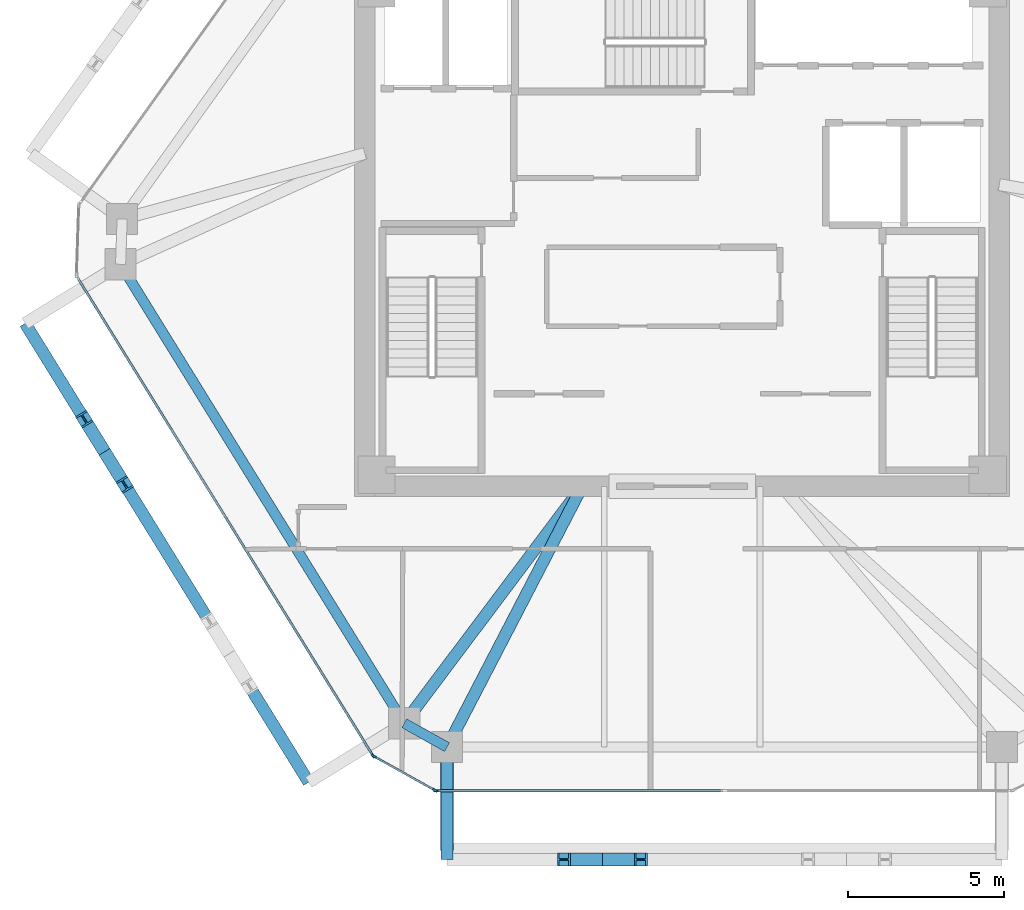
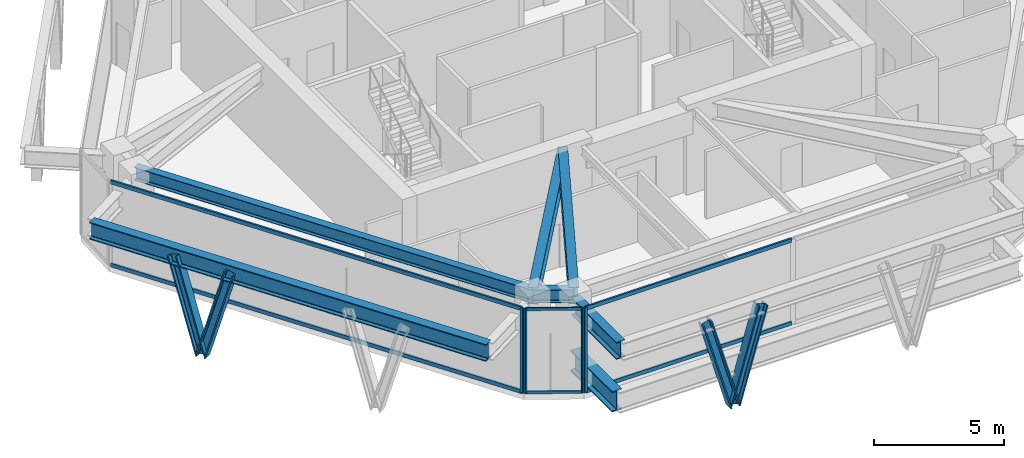
# One storey, part 2 of 11: 14 members, 7 beams, 3 elements without a shape of their own.
"""IFC4 building model written with IfcOpenShell, lengths in metres."""

from ifc_helpers import new_model, si_unit, direction, frame, origin, origin_2d, place, context, subcontext, project, spatial, rectangle, i_section, extrude, source, transform, mapped, material, layer, layer_set, material_profile, profile_set, type_object, type_shapes, element, aggregate, save


model = new_model("IFC4")

# Units and contexts
model_context = context("Model", 3, precision=1e-05, world=origin(), true_north=direction((0.0, 1.0)))
body_context = subcontext(model_context, "Body", "Model", "MODEL_VIEW")
ifc_project = project(units=[si_unit("LENGTHUNIT", "METRE"), si_unit("AREAUNIT", "SQUARE_METRE"), si_unit("VOLUMEUNIT", "CUBIC_METRE"), si_unit("PLANEANGLEUNIT", "RADIAN"), si_unit("MASSUNIT", "GRAM", prefix="KILO")], contexts=[model_context])

# Site, building, storey
site_placement = place(None, origin())
site = spatial("IfcSite", under=ifc_project, at=site_placement, CompositionType="ELEMENT")
building_placement = place(site_placement, origin())
building = spatial("IfcBuilding", under=site, at=building_placement, Name="Durnholm Broadcast Tower", CompositionType="ELEMENT")
storey_placement = place(building_placement, frame((0.0, 0.0, 155.10009765625)))
storey = spatial("IfcBuildingStorey", under=building, at=storey_placement, Name="L42", CompositionType="ELEMENT", Elevation=155.10009765625)

# Beams
ifc_material_1 = material(Name="Steel ASTM A992 Grade 50", Category="steel")
ifc_material_profile_1 = material_profile(ifc_material_1, i_section(OverallWidth=0.385009765625, OverallDepth=0.802978515625, WebThickness=0.023681640625, FlangeThickness=0.0419921875, FilletRadius=0.032958984375, at=origin_2d()), Name="W30X261")
ifc_profile_set_1 = profile_set([ifc_material_profile_1], Name="Steel ASTM A992 Grade 50")
beam_type_1 = type_object("IfcBeamType", Name="BM-EXO-TIE", PredefinedType="USERDEFINED", material=ifc_profile_set_1)
shared_shape_1 = source(origin(), body_context, "Body", "SweptSolid", [
    extrude(i_section(OverallWidth=0.385009765625, OverallDepth=0.802978515625, WebThickness=0.023681640625, FlangeThickness=0.0419921875, FilletRadius=0.032958984375, at=origin_2d()), origin(), (0.0, 0.0, 1.0), 3.4560546875),
])
beam_1_placement = place(storey_placement, frame((-7.53955078125, -16.68603515625, 3.20849609375), z_axis=(0.0, -1.0, 0.0), x_axis=(1.0, 0.0, 0.0)))
element("IfcBeam", 1, at=beam_1_placement, inside=storey, type_object=beam_type_1, Name="L42 exoskeleton stand-off tie bracket F1.1", ObjectType="GIRDER", PredefinedType="USERDEFINED", context=body_context, shape_type="MappedRepresentation", body=[
    mapped(shared_shape_1, transform((0.0, 0.0, 0.0), x_axis=(1.0, 0.0, 0.0), y_axis=(0.0, 1.0, 0.0), z_axis=(0.0, 0.0, 1.0), scale=1.0)),
])
ifc_material_profile_2 = material_profile(ifc_material_1, i_section(OverallWidth=0.3251953125, OverallDepth=0.6162109375, WebThickness=0.013916015625, FlangeThickness=0.021484375, FilletRadius=0.02783203125, at=origin_2d()), Name="W24X117")
ifc_profile_set_2 = profile_set([ifc_material_profile_2], Name="Steel ASTM A992 Grade 50")
beam_type_2 = type_object("IfcBeamType", Name="STL-SP-W24X117", PredefinedType="SPANDREL", material=ifc_profile_set_2)
shared_shape_2 = source(origin(), body_context, "Body", "SweptSolid", [
    extrude(i_section(OverallWidth=0.3251953125, OverallDepth=0.6162109375, WebThickness=0.013916015625, FlangeThickness=0.021484375, FilletRadius=0.02783203125, at=origin_2d()), origin(), (0.0, 0.0, 1.0), 17.3037109375),
])
beam_2_placement = place(storey_placement, frame((-8.91259765625, -15.7763671875, 3.63671875), z_axis=(-0.525695324718, 0.850672925142, 0.0), x_axis=(-0.850672925142, -0.525695324718, 0.0)))
element("IfcBeam", 2, at=beam_2_placement, inside=storey, type_object=beam_type_2, Name="L42 perimeter spandrel girder 01", PredefinedType="SPANDREL", context=body_context, shape_type="MappedRepresentation", body=[
    mapped(shared_shape_2, transform((0.0, 0.0, 0.0), x_axis=(1.0, 0.0, 0.0), y_axis=(0.0, 1.0, 0.0), z_axis=(0.0, 0.0, 1.0), scale=1.0)),
])
shared_shape_3 = source(origin(), body_context, "Body", "SweptSolid", [
    extrude(i_section(OverallWidth=0.3251953125, OverallDepth=0.6162109375, WebThickness=0.013916015625, FlangeThickness=0.021484375, FilletRadius=0.02783203125, at=origin_2d()), origin(), (0.0, 0.0, 1.0), 1.572021484375),
])
type_shapes(beam_type_2, [shared_shape_2, shared_shape_3])
beam_3_placement = place(storey_placement, frame((-7.53955078125, -16.5419921875, 3.63671875), z_axis=(-0.873394362663, 0.487013641769, 0.0), x_axis=(-0.487013641769, -0.873394362663, 0.0)))
element("IfcBeam", 3, at=beam_3_placement, inside=storey, type_object=beam_type_2, Name="L42 perimeter spandrel girder 12", PredefinedType="SPANDREL", context=body_context, shape_type="MappedRepresentation", body=[
    mapped(shared_shape_3, transform((0.0, 0.0, 0.0), x_axis=(1.0, 0.0, 0.0), y_axis=(0.0, 1.0, 0.0), z_axis=(0.0, 0.0, 1.0), scale=1.0)),
])
shared_shape_4 = source(origin(), body_context, "Body", "SweptSolid", [
    extrude(i_section(OverallWidth=0.385009765625, OverallDepth=0.802978515625, WebThickness=0.023681640625, FlangeThickness=0.0419921875, FilletRadius=0.032958984375, at=origin_2d()), origin(), (0.0, 0.0, 1.0), 17.303466796875),
])
type_shapes(beam_type_1, [shared_shape_1, shared_shape_4])
beam_4_placement = place(storey_placement, frame((-21.071533203125, -2.94921875, 3.20849609375), z_axis=(0.525701634347, -0.850669025911, 0.0), x_axis=(0.850669025911, 0.525701634347, 0.0)))
element("IfcBeam", 4, at=beam_4_placement, inside=storey, type_object=beam_type_1, Name="L42 exoskeleton collector spandrel F6", PredefinedType="SPANDREL", context=body_context, shape_type="MappedRepresentation", body=[
    mapped(shared_shape_4, transform((0.0, 0.0, 0.0), x_axis=(1.0, 0.0, 0.0), y_axis=(0.0, 1.0, 0.0), z_axis=(0.0, 0.0, 1.0), scale=1.0)),
])
ifc_material_profile_3 = material_profile(ifc_material_1, i_section(OverallWidth=0.380615234375, OverallDepth=0.773193359375, WebThickness=0.0166015625, FlangeThickness=0.027099609375, FilletRadius=0.032958984375, at=origin_2d()), Name="W30X173")
ifc_profile_set_3 = profile_set([ifc_material_profile_3], Name="Steel ASTM A992 Grade 50")
beam_type_3 = type_object("IfcBeamType", Name="STL-GR-W30X173", PredefinedType="USERDEFINED", material=ifc_profile_set_3)
shared_shape_5 = source(origin(), body_context, "Body", "SweptSolid", [
    extrude(i_section(OverallWidth=0.380615234375, OverallDepth=0.773193359375, WebThickness=0.0166015625, FlangeThickness=0.027099609375, FilletRadius=0.032958984375, at=origin_2d()), origin(), (0.0, 0.0, 1.0), 9.508544921875),
])
beam_5_placement = place(storey_placement, frame((-3.199951171875, -8.175048828125, 3.558349609375), z_axis=(-0.600784359039, -0.799411129479, 0.0), x_axis=(0.799411129479, -0.600784359039, 0.0)))
element("IfcBeam", 5, at=beam_5_placement, inside=storey, type_object=beam_type_3, Name="L42 radial primary floor girder 01", ObjectType="GIRDER", PredefinedType="USERDEFINED", context=body_context, shape_type="MappedRepresentation", body=[
    mapped(shared_shape_5, transform((0.0, 0.0, 0.0), x_axis=(1.0, 0.0, 0.0), y_axis=(0.0, 1.0, 0.0), z_axis=(0.0, 0.0, 1.0), scale=1.0)),
])
shared_shape_6 = source(origin(), body_context, "Body", "SweptSolid", [
    extrude(i_section(OverallWidth=0.380615234375, OverallDepth=0.773193359375, WebThickness=0.0166015625, FlangeThickness=0.027099609375, FilletRadius=0.032958984375, at=origin_2d()), origin(), (0.0, 0.0, 1.0), 9.42529296875),
])
type_shapes(beam_type_3, [shared_shape_5, shared_shape_6])
beam_6_placement = place(storey_placement, frame((-3.199951171875, -8.175048828125, 3.558349609375), z_axis=(-0.460416206992, -0.887703169048, 0.0), x_axis=(0.887703169048, -0.460416206992, 0.0)))
element("IfcBeam", 6, at=beam_6_placement, inside=storey, type_object=beam_type_3, Name="L42 radial primary floor girder 12", ObjectType="GIRDER", PredefinedType="USERDEFINED", context=body_context, shape_type="MappedRepresentation", body=[
    mapped(shared_shape_6, transform((0.0, 0.0, 0.0), x_axis=(1.0, 0.0, 0.0), y_axis=(0.0, 1.0, 0.0), z_axis=(0.0, 0.0, 1.0), scale=1.0)),
])

# Members
ifc_material_2 = material(Name="Steel ASTM A913 Grade 65", Category="steel")
ifc_material_profile_4 = material_profile(ifc_material_2, i_section(OverallWidth=0.412109375, OverallDepth=0.434814453125, WebThickness=0.035888671875, FlangeThickness=0.057373046875, FilletRadius=0.030517578125, at=origin_2d()), Name="W14X311")
ifc_profile_set_4 = profile_set([ifc_material_profile_4], Name="Steel ASTM A913 Grade 65")
member_type_1 = type_object("IfcMemberType", Name="STL-DG-W14X311", PredefinedType="BRACE", material=ifc_profile_set_4)
shared_shape_7 = source(origin(), body_context, "Body", "SweptSolid", [
    extrude(i_section(OverallWidth=0.412109375, OverallDepth=0.434814453125, WebThickness=0.035888671875, FlangeThickness=0.057373046875, FilletRadius=0.030517578125, at=origin_2d()), origin(), (0.0, 0.0, 1.0), 4.454345703125),
])
type_shapes(member_type_1, [shared_shape_7])
for number, where, z_axis, x_axis, name in (
    (7, (-2.556640625, -20.14208984375, -1.071533203125), (-0.276957271889, 0.0, 0.960882235005), (0.0, -1.0, 0.0), "L42 stand-off diagrid brace F1.D1.1"),
    (8, (-2.556640625, -20.14208984375, -1.071533203125), (0.277007876945, 0.0, 0.960867647551), (0.0, 1.0, 0.0), "L42 stand-off diagrid brace F1.D1.2"),
    (9, (-18.5244140625, -7.07080078125, -1.071533203125), (-0.145629598725, 0.235627265683, 0.960870340703), (-0.850644447398, -0.525741404219, 0.0), "L42 stand-off diagrid brace F6.D1.1"),
    (10, (-18.5244140625, -7.07080078125, -1.071533203125), (0.145575950703, -0.235629146111, 0.960878008948), (0.850732935913, 0.525598203719, 0.0), "L42 stand-off diagrid brace F6.D1.2"),
):
    element("IfcMember", number, at=place(storey_placement, frame(where, z_axis=z_axis, x_axis=x_axis)), inside=storey, type_object=member_type_1, Name=name, PredefinedType="BRACE", context=body_context, shape_type="MappedRepresentation", body=[
        mapped(shared_shape_7, transform((0.0, 0.0, 0.0), x_axis=(1.0, 0.0, 0.0), y_axis=(0.0, 1.0, 0.0), z_axis=(0.0, 0.0, 1.0), scale=1.0)),
    ])

# Beam
ifc_material_profile_5 = material_profile(ifc_material_1, i_section(OverallWidth=0.427490234375, OverallDepth=0.9755859375, WebThickness=0.031005859375, FlangeThickness=0.055908203125, FilletRadius=0.0380859375, at=origin_2d()), Name="W36X395")
ifc_profile_set_5 = profile_set([ifc_material_profile_5], Name="Steel ASTM A992 Grade 50")
beam_type_4 = type_object("IfcBeamType", Name="STL-GR-W36X395", PredefinedType="USERDEFINED", material=ifc_profile_set_5)
shared_shape_8 = source(origin(), body_context, "Body", "SweptSolid", [
    extrude(i_section(OverallWidth=0.427490234375, OverallDepth=0.9755859375, WebThickness=0.031005859375, FlangeThickness=0.055908203125, FilletRadius=0.0380859375, at=origin_2d()), origin(), (0.0, 0.0, 1.0), 3.2099609375),
])
type_shapes(beam_type_4, [shared_shape_8])
beam_7_placement = place(storey_placement, frame((-7.53955078125, -16.64208984375, 0.64990234375), z_axis=(0.0, -1.0, 0.0), x_axis=(1.0, 0.0, 0.0)))
element("IfcBeam", 11, at=beam_7_placement, inside=storey, type_object=beam_type_4, Name="L42 sky-pool collector stand-off bracket 1", ObjectType="GIRDER", PredefinedType="USERDEFINED", context=body_context, shape_type="MappedRepresentation", body=[
    mapped(shared_shape_8, transform((0.0, 0.0, 0.0), x_axis=(1.0, 0.0, 0.0), y_axis=(0.0, 1.0, 0.0), z_axis=(0.0, 0.0, 1.0), scale=1.0)),
])

# Curtain wall, members
ifc_material_3 = material(Name="Aluminium and Solar Control IGU", Category="aluminium")
ifc_layer_1 = layer(ifc_material_3, 0.1650390625)
ifc_layer_set_1 = layer_set([ifc_layer_1], Name="Aluminium and Solar Control IGU")
curtain_wall_type_1 = type_object("IfcCurtainWallType", Name="CW-SYS-5", PredefinedType="NOTDEFINED", material=ifc_layer_set_1)
curtain_wall_1_placement = place(storey_placement, origin())
curtain_wall_1 = element("IfcCurtainWall", 12, at=curtain_wall_1_placement, inside=storey, type_object=curtain_wall_type_1, Name="L42 curtain wall CW-CORNER CW-L42-CRN-11", PredefinedType="NOTDEFINED")
ifc_material_4 = material(Name="Aluminium 6063-T6", Category="aluminium")
ifc_material_profile_6 = material_profile(ifc_material_4, rectangle(XDim=0.06494140625, YDim=0.1650390625, at=origin_2d()), Name="CWM65X165")
ifc_profile_set_6 = profile_set([ifc_material_profile_6], Name="Aluminium 6063-T6")
member_type_2 = type_object("IfcMemberType", Name="CW-SYS-5-MUL", PredefinedType="MULLION", material=ifc_profile_set_6)
shared_shape_9 = source(origin(), body_context, "Body", "SweptSolid", [
    extrude(rectangle(XDim=0.06494140625, YDim=0.1650390625, at=origin_2d()), origin(), (0.0, 0.0, 1.0), 3.9599609375),
])
type_shapes(member_type_2, [shared_shape_9])
member_1_placement = place(storey_placement, frame((-7.931884765625, -17.92626953125, 0.0), z_axis=(0.0, 0.0, 1.0), x_axis=(-0.486986043316, -0.873409751271, 0.0)))
member_1 = element("IfcMember", 13, at=member_1_placement, type_object=member_type_2, Name="CW-CORNER mullion 1", PredefinedType="MULLION", context=body_context, shape_type="MappedRepresentation", body=[
    mapped(shared_shape_9, transform((0.0, 0.0, 0.0), x_axis=(1.0, 0.0, 0.0), y_axis=(0.0, 1.0, 0.0), z_axis=(0.0, 0.0, 1.0), scale=1.0)),
])
member_2_placement = place(storey_placement, frame((-9.884033203125, -16.837646484375, 0.0), z_axis=(0.0, 0.0, 1.0), x_axis=(-0.486986043316, -0.873409751271, 0.0)))
member_2 = element("IfcMember", 14, at=member_2_placement, type_object=member_type_2, Name="CW-CORNER mullion 2", PredefinedType="MULLION", context=body_context, shape_type="MappedRepresentation", body=[
    mapped(shared_shape_9, transform((0.0, 0.0, 0.0), x_axis=(1.0, 0.0, 0.0), y_axis=(0.0, 1.0, 0.0), z_axis=(0.0, 0.0, 1.0), scale=1.0)),
])

# Curtain wall, member
ifc_layer_2 = layer(ifc_material_3, 0.219970703125)
ifc_layer_set_2 = layer_set([ifc_layer_2], Name="Aluminium and Solar Control IGU")
curtain_wall_type_2 = type_object("IfcCurtainWallType", Name="CW-SYS-6", PredefinedType="NOTDEFINED", material=ifc_layer_set_2)
curtain_wall_2_placement = place(storey_placement, origin())
curtain_wall_2 = element("IfcCurtainWall", 15, at=curtain_wall_2_placement, inside=storey, type_object=curtain_wall_type_2, Name="L42 curtain wall CW-AMENITY CW-L42-F10", PredefinedType="NOTDEFINED")
ifc_material_profile_7 = material_profile(ifc_material_4, rectangle(XDim=0.074951171875, YDim=0.219970703125, at=origin_2d()), Name="CWM75X220")
ifc_profile_set_7 = profile_set([ifc_material_profile_7], Name="Aluminium 6063-T6")
member_type_3 = type_object("IfcMemberType", Name="CW-SYS-6-MUL", PredefinedType="MULLION", material=ifc_profile_set_7)
shared_shape_10 = source(origin(), body_context, "Body", "SweptSolid", [
    extrude(rectangle(XDim=0.074951171875, YDim=0.219970703125, at=origin_2d()), origin(), (0.0, 0.0, 1.0), 3.9599609375),
])
type_shapes(member_type_3, [shared_shape_10])
member_3_placement = place(storey_placement, frame((-7.865966796875, -17.94189453125, 0.0), z_axis=(0.0, 0.0, 1.0), x_axis=(0.0, -1.0, 0.0)))
member_3 = element("IfcMember", 16, at=member_3_placement, type_object=member_type_3, Name="CW-AMENITY mullion 3", PredefinedType="MULLION", context=body_context, shape_type="MappedRepresentation", body=[
    mapped(shared_shape_10, transform((0.0, 0.0, 0.0), x_axis=(1.0, 0.0, 0.0), y_axis=(0.0, 1.0, 0.0), z_axis=(0.0, 0.0, 1.0), scale=1.0)),
])

curtain_wall_3_placement = place(storey_placement, origin())
curtain_wall_3 = element("IfcCurtainWall", 17, at=curtain_wall_3_placement, inside=storey, type_object=curtain_wall_type_2, Name="L42 curtain wall CW-AMENITY CW-L42-F12", PredefinedType="NOTDEFINED")
member_4_placement = place(storey_placement, frame((-9.93212890625, -16.7900390625, 0.0), z_axis=(0.0, 0.0, 1.0), x_axis=(-0.850671426092, -0.525697750452, 0.0)))
member_4 = element("IfcMember", 18, at=member_4_placement, type_object=member_type_3, Name="CW-AMENITY mullion 1", PredefinedType="MULLION", context=body_context, shape_type="MappedRepresentation", body=[
    mapped(shared_shape_10, transform((0.0, 0.0, 0.0), x_axis=(1.0, 0.0, 0.0), y_axis=(0.0, 1.0, 0.0), z_axis=(0.0, 0.0, 1.0), scale=1.0)),
])

# Member
ifc_material_profile_8 = material_profile(ifc_material_4, rectangle(XDim=0.06494140625, YDim=0.1298828125, at=origin_2d()), Name="CWT65X130")
ifc_profile_set_8 = profile_set([ifc_material_profile_8], Name="Aluminium 6063-T6")
member_type_4 = type_object("IfcMemberType", Name="CW-SYS-5-TRN", PredefinedType="USERDEFINED", material=ifc_profile_set_8)
shared_shape_11 = source(origin(), body_context, "Body", "SweptSolid", [
    extrude(rectangle(XDim=0.06494140625, YDim=0.1298828125, at=origin_2d()), origin(), (0.0, 0.0, 1.0), 2.169921875),
])
type_shapes(member_type_4, [shared_shape_11])
member_5_placement = place(storey_placement, frame((-7.960205078125, -17.910400390625, 0.032470703125), z_axis=(-0.873381360539, 0.487036958621, 0.0), x_axis=(-0.487036958621, -0.873381360539, 0.0)))
member_5 = element("IfcMember", 19, at=member_5_placement, type_object=member_type_4, Name="CW-CORNER transom 1.1", ObjectType="TRANSOM", PredefinedType="USERDEFINED", context=body_context, shape_type="MappedRepresentation", body=[
    mapped(shared_shape_11, transform((0.0, 0.0, 0.0), x_axis=(1.0, 0.0, 0.0), y_axis=(0.0, 1.0, 0.0), z_axis=(0.0, 0.0, 1.0), scale=1.0)),
])

member_6_placement = place(storey_placement, frame((-7.960205078125, -17.910400390625, 3.927490234375), z_axis=(-0.873381360539, 0.487036958621, 0.0), x_axis=(-0.487036958621, -0.873381360539, 0.0)))
member_6 = element("IfcMember", 20, at=member_6_placement, type_object=member_type_4, Name="CW-CORNER transom 1.2", ObjectType="TRANSOM", PredefinedType="USERDEFINED", context=body_context, shape_type="MappedRepresentation", body=[
    mapped(shared_shape_11, transform((0.0, 0.0, 0.0), x_axis=(1.0, 0.0, 0.0), y_axis=(0.0, 1.0, 0.0), z_axis=(0.0, 0.0, 1.0), scale=1.0)),
])

aggregate(curtain_wall_1, [member_1, member_2, member_5, member_6])

ifc_material_profile_9 = material_profile(ifc_material_4, rectangle(XDim=0.074951171875, YDim=0.179931640625, at=origin_2d()), Name="CWT75X180")
ifc_profile_set_9 = profile_set([ifc_material_profile_9], Name="Aluminium 6063-T6")
member_type_5 = type_object("IfcMemberType", Name="CW-SYS-6-TRN", PredefinedType="USERDEFINED", material=ifc_profile_set_9)
shared_shape_12 = source(origin(), body_context, "Body", "SweptSolid", [
    extrude(rectangle(XDim=0.074951171875, YDim=0.179931640625, at=origin_2d()), origin(), (0.0, 0.0, 1.0), 17.941162109375),
])
member_7_placement = place(storey_placement, frame((-9.95166015625, -16.758056640625, 0.037353515625), z_axis=(-0.52570000842, 0.850670030709, 0.0), x_axis=(-0.850670030709, -0.52570000842, 0.0)))
member_7 = element("IfcMember", 21, at=member_7_placement, type_object=member_type_5, Name="CW-AMENITY transom 1.1", ObjectType="TRANSOM", PredefinedType="USERDEFINED", context=body_context, shape_type="MappedRepresentation", body=[
    mapped(shared_shape_12, transform((0.0, 0.0, 0.0), x_axis=(1.0, 0.0, 0.0), y_axis=(0.0, 1.0, 0.0), z_axis=(0.0, 0.0, 1.0), scale=1.0)),
])

member_8_placement = place(storey_placement, frame((-9.95166015625, -16.758056640625, 3.92236328125), z_axis=(-0.52570000842, 0.850670030709, 0.0), x_axis=(-0.850670030709, -0.52570000842, 0.0)))
member_8 = element("IfcMember", 22, at=member_8_placement, type_object=member_type_5, Name="CW-AMENITY transom 1.2", ObjectType="TRANSOM", PredefinedType="USERDEFINED", context=body_context, shape_type="MappedRepresentation", body=[
    mapped(shared_shape_12, transform((0.0, 0.0, 0.0), x_axis=(1.0, 0.0, 0.0), y_axis=(0.0, 1.0, 0.0), z_axis=(0.0, 0.0, 1.0), scale=1.0)),
])

aggregate(curtain_wall_3, [member_4, member_7, member_8])

shared_shape_13 = source(origin(), body_context, "Body", "SweptSolid", [
    extrude(rectangle(XDim=0.074951171875, YDim=0.179931640625, at=origin_2d()), origin(), (0.0, 0.0, 1.0), 9.13671875),
])
type_shapes(member_type_5, [shared_shape_12, shared_shape_13])
member_9_placement = place(storey_placement, frame((1.308349609375, -17.94189453125, 0.037353515625), z_axis=(-1.0, 0.0, 0.0), x_axis=(0.0, -1.0, 0.0)))
member_9 = element("IfcMember", 23, at=member_9_placement, type_object=member_type_5, Name="CW-AMENITY transom 2.1", ObjectType="TRANSOM", PredefinedType="USERDEFINED", context=body_context, shape_type="MappedRepresentation", body=[
    mapped(shared_shape_13, transform((0.0, 0.0, 0.0), x_axis=(1.0, 0.0, 0.0), y_axis=(0.0, 1.0, 0.0), z_axis=(0.0, 0.0, 1.0), scale=1.0)),
])

member_10_placement = place(storey_placement, frame((1.308349609375, -17.94189453125, 3.92236328125), z_axis=(-1.0, 0.0, 0.0), x_axis=(0.0, -1.0, 0.0)))
member_10 = element("IfcMember", 24, at=member_10_placement, type_object=member_type_5, Name="CW-AMENITY transom 2.2", ObjectType="TRANSOM", PredefinedType="USERDEFINED", context=body_context, shape_type="MappedRepresentation", body=[
    mapped(shared_shape_13, transform((0.0, 0.0, 0.0), x_axis=(1.0, 0.0, 0.0), y_axis=(0.0, 1.0, 0.0), z_axis=(0.0, 0.0, 1.0), scale=1.0)),
])

aggregate(curtain_wall_2, [member_3, member_9, member_10])

save(model, "model.ifc")
